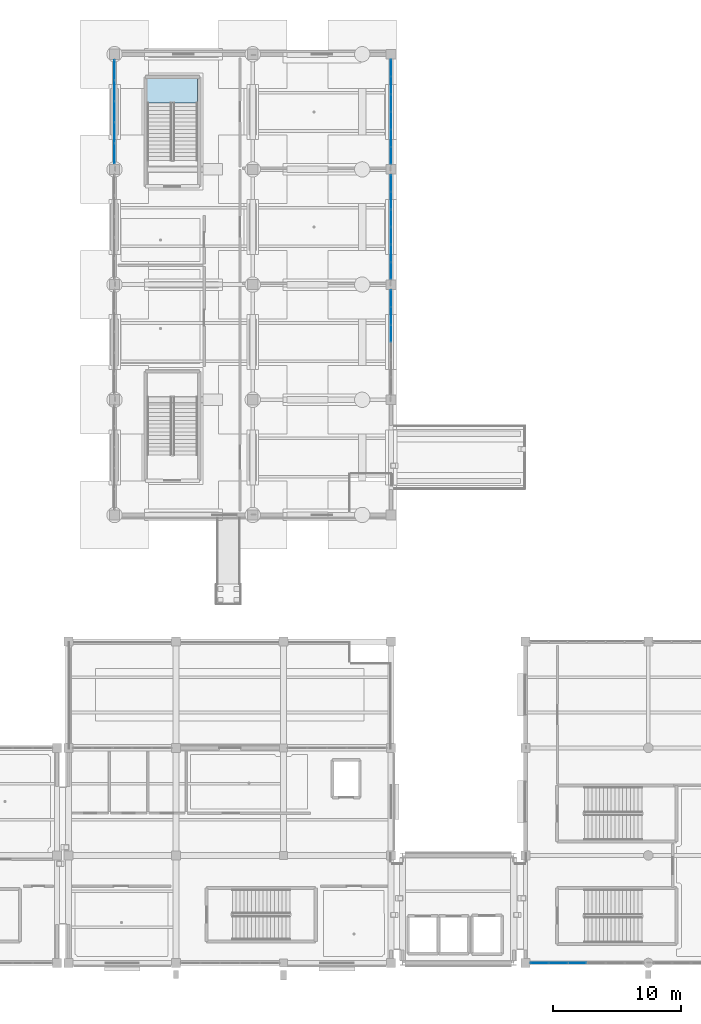
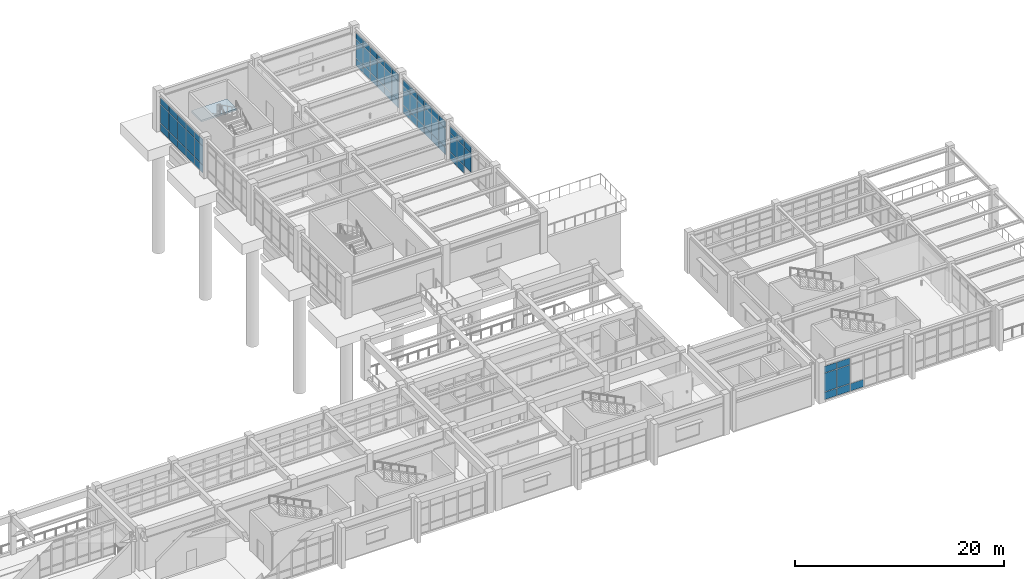
# One storey, part 72 of 98: 66 plates, 1 slab, 6 elements without a shape of their own.
"""IFC4 building model written with IfcOpenShell, lengths in metres."""

import ifcopenshell
import ifcopenshell.guid

model = None  # the IFC model being written
_history = None  # IfcOwnerHistory: only IFC2X3 demands one
_inside = {}  # id of a spatial element -> (the spatial element, [elements in it])
_under = {}  # id of a project, library or spatial element -> (it, [spatial elements below it])
_declared = {}  # id of a project -> (the project, [libraries it declares])
_typed = {}  # id of a type object -> (the type object, [elements of that type])
_made_of = {}  # id of a material, layer set ... -> (it, [elements and type objects made of it])


def new_model(schema):
    """Start an empty IFC model of exactly this schema.

    Asked for "IFC4X3", IfcOpenShell would pick the latest addendum, in which some entities
    have other attributes; the version numbers below select the first issue.
    IFC2X3 requires an IfcOwnerHistory on every rooted entity: one is made here for all.
    """
    global model, _history
    if schema == "IFC4X3":
        model = ifcopenshell.file(schema_version=(4, 3, 0, 0))
    else:
        model = ifcopenshell.file(schema=schema)
    _inside.clear()
    _under.clear()
    _declared.clear()
    _typed.clear()
    _made_of.clear()
    _history = None
    if model.schema == "IFC2X3":
        org = make("IfcOrganization", Name="unknown")
        user = make(
            "IfcPersonAndOrganization",
            ThePerson=make("IfcPerson", FamilyName="unknown"),
            TheOrganization=org,
        )
        app = make(
            "IfcApplication",
            ApplicationDeveloper=org,
            Version="unknown",
            ApplicationFullName="unknown",
            ApplicationIdentifier="unknown",
        )
        _history = make(
            "IfcOwnerHistory",
            OwningUser=user,
            OwningApplication=app,
            ChangeAction="ADDED",
            CreationDate=0,
        )
    return model


def make(cls, **values):
    """One entity of the class cls with the attributes given. An attribute that is None is left unset."""
    return model.create_entity(
        cls, **{name: value for name, value in values.items() if value is not None}
    )


def rooted(cls, **values):
    """An entity with a GlobalId (a new one), such as an element, a storey or a relation."""
    return make(cls, GlobalId=ifcopenshell.guid.new(), OwnerHistory=_history, **values)


def si_unit(unit_type, name, prefix=None):
    """IfcSIUnit, for example si_unit("LENGTHUNIT", "METRE", prefix="MILLI")."""
    return make("IfcSIUnit", UnitType=unit_type, Prefix=prefix, Name=name)


def assignment(units):
    """IfcUnitAssignment: the units of a project."""
    return None if units is None else make("IfcUnitAssignment", Units=units)


def point(xyz):
    """IfcCartesianPoint."""
    return None if xyz is None else make("IfcCartesianPoint", Coordinates=xyz)


def direction(xyz):
    """IfcDirection."""
    return None if xyz is None else make("IfcDirection", DirectionRatios=xyz)


def frame(location, z_axis=None, x_axis=None):
    """IfcAxis2Placement3D, a coordinate frame: its origin and axes. An axis left out is left unset."""
    return make(
        "IfcAxis2Placement3D",
        Location=point(location),
        Axis=direction(z_axis),
        RefDirection=direction(x_axis),
    )


def frame_2d(location, x_axis=None):
    """IfcAxis2Placement2D, a coordinate frame in the plane: its origin and x axis."""
    return make(
        "IfcAxis2Placement2D", Location=point(location), RefDirection=direction(x_axis)
    )


def origin():
    """The frame at (0, 0, 0) with its axes left unset."""
    return frame((0.0, 0.0, 0.0))


def origin_2d():
    """The frame at (0, 0) in the plane with its x axis left unset."""
    return frame_2d((0.0, 0.0))


def place(relative_to, where):
    """IfcLocalPlacement: puts the frame where relative to a parent placement (None: the world)."""
    return make(
        "IfcLocalPlacement", PlacementRelTo=relative_to, RelativePlacement=where
    )


def context(
    kind, dimensions, precision=None, world=None, true_north=None, identifier=None
):
    """IfcGeometricRepresentationContext, for example the 3D "Model" context."""
    return make(
        "IfcGeometricRepresentationContext",
        ContextIdentifier=identifier,
        ContextType=kind,
        CoordinateSpaceDimension=dimensions,
        Precision=precision,
        WorldCoordinateSystem=world,
        TrueNorth=true_north,
    )


def subcontext(parent, identifier, kind, view, scale=None):
    """IfcGeometricRepresentationSubContext, for example "Body" below "Model"."""
    return make(
        "IfcGeometricRepresentationSubContext",
        ContextIdentifier=identifier,
        ContextType=kind,
        ParentContext=parent,
        TargetScale=scale,
        TargetView=view,
    )


def project(units=None, contexts=None):
    """IfcProject with its units and contexts."""
    return rooted(
        "IfcProject",
        Name="project",
        RepresentationContexts=contexts,
        UnitsInContext=assignment(units),
    )


def spatial(cls, under=None, at=None, **own):
    """A site, building, storey or space (cls), placed at a placement, below another one or the project."""
    s = rooted(cls, ObjectPlacement=at, **own)
    if under is not None:
        _under.setdefault(under.id(), (under, []))[1].append(s)
    return s


def polyline(points):
    """IfcPolyline through the points."""
    return make("IfcPolyline", Points=[point(p) for p in points])


def profile(cls, at=None, kind="AREA", **sizes):
    """A parametric profile (cls). Its sizes go by their IFC names, for example OverallWidth=200.0."""
    return make(cls, ProfileType=kind, Position=at, **sizes)


def rectangle(**sizes):
    """IfcRectangleProfileDef."""
    return profile("IfcRectangleProfileDef", **sizes)


def outline(outer, holes=None, kind="AREA"):
    """IfcArbitraryClosedProfileDef: a profile drawn as a closed curve; with holes, ...WithVoids."""
    if holes is None:
        return make("IfcArbitraryClosedProfileDef", ProfileType=kind, OuterCurve=outer)
    return make(
        "IfcArbitraryProfileDefWithVoids",
        ProfileType=kind,
        OuterCurve=outer,
        InnerCurves=holes,
    )


def extrude(swept, where, along, depth):
    """IfcExtrudedAreaSolid: the profile swept, set in the frame where, extruded along a direction by depth."""
    return make(
        "IfcExtrudedAreaSolid",
        SweptArea=swept,
        Position=where,
        ExtrudedDirection=direction(along),
        Depth=depth,
    )


def shape(context_of_items, identifier, shape_type, items):
    """IfcShapeRepresentation: the items that make up one representation, for example the "Body"."""
    return make(
        "IfcShapeRepresentation",
        ContextOfItems=context_of_items,
        RepresentationIdentifier=identifier,
        RepresentationType=shape_type,
        Items=items,
    )


def material(Name=None, Category=None):
    """IfcMaterial."""
    return make("IfcMaterial", Name=Name, Category=Category)


def layer(
    of_material, thickness, ventilated=None, Name=None, Category=None, Priority=None
):
    """IfcMaterialLayer: one layer of a wall or slab, of a material (None: an air gap)."""
    return make(
        "IfcMaterialLayer",
        Material=of_material,
        LayerThickness=thickness,
        IsVentilated=ventilated,
        Name=Name,
        Category=Category,
        Priority=Priority,
    )


def layer_set(layers, Name=None):
    """IfcMaterialLayerSet."""
    return make("IfcMaterialLayerSet", MaterialLayers=layers, LayerSetName=Name)


def made_of(thing, what):
    """Note that an element or type object is made of a material, layer set ...; save() writes the relation."""
    if what is not None:
        _made_of.setdefault(what.id(), (what, []))[1].append(thing)
    return thing


def type_object(cls, material=None, **own):
    """A type object (cls), such as IfcWallType, which elements share."""
    return made_of(rooted(cls, **own), material)


def element(
    cls,
    number,
    at=None,
    inside=None,
    cuts=None,
    type_object=None,
    material=None,
    context=None,
    identifier="Body",
    shape_type=None,
    held_by="IfcProductDefinitionShape",
    body=None,
    shapes=None,
    **own,
):
    """One element of the class cls, such as IfcWall. Its Tag is "e" and its number.

    at: its placement. inside: the storey or other place that contains it. cuts: it is an
    opening in that element (IfcRelVoidsElement). A single representation is given by context,
    identifier, shape_type and body (its items); several are given by shapes. held_by: the class
    of the entity that holds the representations. save() writes the other relations.
    """
    e = rooted(cls, Tag="e%d" % number, ObjectPlacement=at, **own)
    if body is not None:
        shapes = [shape(context, identifier, shape_type, body)]
    if shapes is not None:
        e.Representation = make(held_by, Representations=shapes)
    if inside is not None:
        _inside.setdefault(inside.id(), (inside, []))[1].append(e)
    if cuts is not None:
        rooted(
            "IfcRelVoidsElement", RelatingBuildingElement=cuts, RelatedOpeningElement=e
        )
    if type_object is not None:
        _typed.setdefault(type_object.id(), (type_object, []))[1].append(e)
    return made_of(e, material)


def aggregate(whole, parts):
    """IfcRelAggregates: a whole, such as a stair, and the parts it consists of."""
    return rooted("IfcRelAggregates", RelatingObject=whole, RelatedObjects=parts)


def save(model, path):
    """Write the relations noted so far, then the file.

    IfcRelAggregates (storeys below a building ...), IfcRelContainedInSpatialStructure (elements
    in a storey), IfcRelDefinesByType, IfcRelAssociatesMaterial and IfcRelDeclares: one each for
    every whole, place, type object, material and project.
    """
    for whole, parts in _under.values():
        aggregate(whole, parts)
    for where, things in _inside.values():
        rooted(
            "IfcRelContainedInSpatialStructure",
            RelatedElements=things,
            RelatingStructure=where,
        )
    for kind, things in _typed.values():
        rooted("IfcRelDefinesByType", RelatedObjects=things, RelatingType=kind)
    for what, things in _made_of.values():
        rooted("IfcRelAssociatesMaterial", RelatedObjects=things, RelatingMaterial=what)
    for by, libraries in _declared.values():
        rooted("IfcRelDeclares", RelatingContext=by, RelatedDefinitions=libraries)
    model.write(path)


model = new_model("IFC4")

# Units and contexts
model_context = context("Model", 3, precision=1e-05, world=origin(), true_north=direction((0.0, 1.0)))
body_context = subcontext(model_context, "Body", "Model", "MODEL_VIEW")
ifc_project = project(units=[si_unit("LENGTHUNIT", "METRE"), si_unit("AREAUNIT", "SQUARE_METRE"), si_unit("VOLUMEUNIT", "CUBIC_METRE"), si_unit("PLANEANGLEUNIT", "RADIAN"), si_unit("MASSUNIT", "GRAM", prefix="KILO")], contexts=[model_context])

# Site, building, storey
site_placement = place(None, origin())
site = spatial("IfcSite", under=ifc_project, at=site_placement, CompositionType="ELEMENT")
building_placement = place(site_placement, origin())
building = spatial("IfcBuilding", under=site, at=building_placement, Name="Canglan Escarpment Cableway Terminal", CompositionType="ELEMENT")
storey_placement = place(building_placement, frame((0.0, 0.0, 9.60009765625)))
storey = spatial("IfcBuildingStorey", under=building, at=storey_placement, Name="L02", CompositionType="ELEMENT", Elevation=9.60009765625)

# Curtain wall, plates
ifc_material_1 = material(Name="Anodized bronze aluminium and Low-E double glazing", Category="aluminium")
curtain_wall_type_1 = type_object("IfcCurtainWallType", Name="CW-BAY-8250x4025", PredefinedType="NOTDEFINED", material=ifc_material_1)
curtain_wall_1_placement = place(storey_placement, origin())
curtain_wall_1 = element("IfcCurtainWall", 1, at=curtain_wall_1_placement, inside=storey, type_object=curtain_wall_type_1, Name="Classical bay-between-piers glazed curtain wall CW-43", PredefinedType="NOTDEFINED")
ifc_material_2 = material(Name="Double-silver Low-E laminated insulating glass", Category="glass")
ifc_layer_1 = layer(ifc_material_2, 0.02392578125, Name="Double-silver Low-E laminated insulating glass")
ifc_layer_set_1 = layer_set([ifc_layer_1], Name="Double-silver Low-E laminated insulating glass")
plate_type_1 = type_object("IfcPlateType", Name="CWP-01", PredefinedType="CURTAIN_PANEL", material=ifc_layer_set_1)
plate_1_placement = place(storey_placement, frame((136.699951171875, 71.077392578125, 0.05517578125), z_axis=(0.0, 0.0, 1.0), x_axis=(0.0, 1.0, 0.0)))
plate_1 = element("IfcPlate", 2, at=plate_1_placement, type_object=plate_type_1, Name="CW-43 panel 1.1", PredefinedType="CURTAIN_PANEL", context=body_context, shape_type="SweptSolid", body=[
    extrude(rectangle(XDim=1.284912109375, YDim=0.02392578125, at=origin_2d()), origin(), (0.0, 0.0, 1.0), 0.867431640625),
])
plate_2_placement = place(storey_placement, frame((136.699951171875, 71.077392578125, 0.977294921875), z_axis=(0.0, 0.0, 1.0), x_axis=(0.0, 1.0, 0.0)))
plate_2 = element("IfcPlate", 3, at=plate_2_placement, type_object=plate_type_1, Name="CW-43 panel 1.2", PredefinedType="CURTAIN_PANEL", context=body_context, shape_type="SweptSolid", body=[
    extrude(rectangle(XDim=1.284912109375, YDim=0.02392578125, at=origin_2d()), origin(), (0.0, 0.0, 1.0), 2.162109375),
])
plate_3_placement = place(storey_placement, frame((136.699951171875, 71.077392578125, 3.1943359375), z_axis=(0.0, 0.0, 1.0), x_axis=(0.0, 1.0, 0.0)))
plate_3 = element("IfcPlate", 4, at=plate_3_placement, type_object=plate_type_1, Name="CW-43 panel 1.3", PredefinedType="CURTAIN_PANEL", context=body_context, shape_type="SweptSolid", body=[
    extrude(rectangle(XDim=1.284912109375, YDim=0.02392578125, at=origin_2d()), origin(), (0.0, 0.0, 1.0), 0.767578125),
])
plate_4_placement = place(storey_placement, frame((136.699951171875, 72.4375, 0.05517578125), z_axis=(0.0, 0.0, 1.0), x_axis=(0.0, 1.0, 0.0)))
plate_4 = element("IfcPlate", 5, at=plate_4_placement, type_object=plate_type_1, Name="CW-43 panel 2.1", PredefinedType="CURTAIN_PANEL", context=body_context, shape_type="SweptSolid", body=[
    extrude(rectangle(XDim=1.31494140625, YDim=0.02392578125, at=origin_2d()), origin(), (0.0, 0.0, 1.0), 0.867431640625),
])
plate_5_placement = place(storey_placement, frame((136.699951171875, 72.4375, 0.977294921875), z_axis=(0.0, 0.0, 1.0), x_axis=(0.0, 1.0, 0.0)))
plate_5 = element("IfcPlate", 6, at=plate_5_placement, type_object=plate_type_1, Name="CW-43 panel 2.2", PredefinedType="CURTAIN_PANEL", context=body_context, shape_type="SweptSolid", body=[
    extrude(rectangle(XDim=1.31494140625, YDim=0.02392578125, at=origin_2d()), origin(), (0.0, 0.0, 1.0), 2.162109375),
])
plate_6_placement = place(storey_placement, frame((136.699951171875, 72.4375, 3.1943359375), z_axis=(0.0, 0.0, 1.0), x_axis=(0.0, 1.0, 0.0)))
plate_6 = element("IfcPlate", 7, at=plate_6_placement, type_object=plate_type_1, Name="CW-43 panel 2.3", PredefinedType="CURTAIN_PANEL", context=body_context, shape_type="SweptSolid", body=[
    extrude(rectangle(XDim=1.31494140625, YDim=0.02392578125, at=origin_2d()), origin(), (0.0, 0.0, 1.0), 0.767578125),
])
plate_7_placement = place(storey_placement, frame((136.699951171875, 73.8125, 0.05517578125), z_axis=(0.0, 0.0, 1.0), x_axis=(0.0, 1.0, 0.0)))
plate_7 = element("IfcPlate", 8, at=plate_7_placement, type_object=plate_type_1, Name="CW-43 panel 3.1", PredefinedType="CURTAIN_PANEL", context=body_context, shape_type="SweptSolid", body=[
    extrude(rectangle(XDim=1.31494140625, YDim=0.02392578125, at=origin_2d()), origin(), (0.0, 0.0, 1.0), 0.867431640625),
])
plate_8_placement = place(storey_placement, frame((136.699951171875, 73.8125, 0.977294921875), z_axis=(0.0, 0.0, 1.0), x_axis=(0.0, 1.0, 0.0)))
plate_8 = element("IfcPlate", 9, at=plate_8_placement, type_object=plate_type_1, Name="CW-43 panel 3.2", PredefinedType="CURTAIN_PANEL", context=body_context, shape_type="SweptSolid", body=[
    extrude(rectangle(XDim=1.31494140625, YDim=0.02392578125, at=origin_2d()), origin(), (0.0, 0.0, 1.0), 2.162109375),
])
plate_9_placement = place(storey_placement, frame((136.699951171875, 73.8125, 3.1943359375), z_axis=(0.0, 0.0, 1.0), x_axis=(0.0, 1.0, 0.0)))
plate_9 = element("IfcPlate", 10, at=plate_9_placement, type_object=plate_type_1, Name="CW-43 panel 3.3", PredefinedType="CURTAIN_PANEL", context=body_context, shape_type="SweptSolid", body=[
    extrude(rectangle(XDim=1.31494140625, YDim=0.02392578125, at=origin_2d()), origin(), (0.0, 0.0, 1.0), 0.767578125),
])
plate_10_placement = place(storey_placement, frame((136.699951171875, 75.1875, 0.05517578125), z_axis=(0.0, 0.0, 1.0), x_axis=(0.0, 1.0, 0.0)))
plate_10 = element("IfcPlate", 11, at=plate_10_placement, type_object=plate_type_1, Name="CW-43 panel 4.1", PredefinedType="CURTAIN_PANEL", context=body_context, shape_type="SweptSolid", body=[
    extrude(rectangle(XDim=1.31494140625, YDim=0.02392578125, at=origin_2d()), origin(), (0.0, 0.0, 1.0), 0.867431640625),
])
plate_11_placement = place(storey_placement, frame((136.699951171875, 75.1875, 0.977294921875), z_axis=(0.0, 0.0, 1.0), x_axis=(0.0, 1.0, 0.0)))
plate_11 = element("IfcPlate", 12, at=plate_11_placement, type_object=plate_type_1, Name="CW-43 panel 4.2", PredefinedType="CURTAIN_PANEL", context=body_context, shape_type="SweptSolid", body=[
    extrude(rectangle(XDim=1.31494140625, YDim=0.02392578125, at=origin_2d()), origin(), (0.0, 0.0, 1.0), 2.162109375),
])
plate_12_placement = place(storey_placement, frame((136.699951171875, 75.1875, 3.1943359375), z_axis=(0.0, 0.0, 1.0), x_axis=(0.0, 1.0, 0.0)))
plate_12 = element("IfcPlate", 13, at=plate_12_placement, type_object=plate_type_1, Name="CW-43 panel 4.3", PredefinedType="CURTAIN_PANEL", context=body_context, shape_type="SweptSolid", body=[
    extrude(rectangle(XDim=1.31494140625, YDim=0.02392578125, at=origin_2d()), origin(), (0.0, 0.0, 1.0), 0.767578125),
])
plate_13_placement = place(storey_placement, frame((136.699951171875, 76.5625, 0.05517578125), z_axis=(0.0, 0.0, 1.0), x_axis=(0.0, 1.0, 0.0)))
plate_13 = element("IfcPlate", 14, at=plate_13_placement, type_object=plate_type_1, Name="CW-43 panel 5.1", PredefinedType="CURTAIN_PANEL", context=body_context, shape_type="SweptSolid", body=[
    extrude(rectangle(XDim=1.31494140625, YDim=0.02392578125, at=origin_2d()), origin(), (0.0, 0.0, 1.0), 0.867431640625),
])
plate_14_placement = place(storey_placement, frame((136.699951171875, 76.5625, 0.977294921875), z_axis=(0.0, 0.0, 1.0), x_axis=(0.0, 1.0, 0.0)))
plate_14 = element("IfcPlate", 15, at=plate_14_placement, type_object=plate_type_1, Name="CW-43 panel 5.2", PredefinedType="CURTAIN_PANEL", context=body_context, shape_type="SweptSolid", body=[
    extrude(rectangle(XDim=1.31494140625, YDim=0.02392578125, at=origin_2d()), origin(), (0.0, 0.0, 1.0), 2.162109375),
])
plate_15_placement = place(storey_placement, frame((136.699951171875, 76.5625, 3.1943359375), z_axis=(0.0, 0.0, 1.0), x_axis=(0.0, 1.0, 0.0)))
plate_15 = element("IfcPlate", 16, at=plate_15_placement, type_object=plate_type_1, Name="CW-43 panel 5.3", PredefinedType="CURTAIN_PANEL", context=body_context, shape_type="SweptSolid", body=[
    extrude(rectangle(XDim=1.31494140625, YDim=0.02392578125, at=origin_2d()), origin(), (0.0, 0.0, 1.0), 0.767578125),
])
plate_16_placement = place(storey_placement, frame((136.699951171875, 77.922607421875, 0.05517578125), z_axis=(0.0, 0.0, 1.0), x_axis=(0.0, 1.0, 0.0)))
plate_16 = element("IfcPlate", 17, at=plate_16_placement, type_object=plate_type_1, Name="CW-43 panel 6.1", PredefinedType="CURTAIN_PANEL", context=body_context, shape_type="SweptSolid", body=[
    extrude(rectangle(XDim=1.284912109375, YDim=0.02392578125, at=origin_2d()), origin(), (0.0, 0.0, 1.0), 0.867431640625),
])
plate_17_placement = place(storey_placement, frame((136.699951171875, 77.922607421875, 0.977294921875), z_axis=(0.0, 0.0, 1.0), x_axis=(0.0, 1.0, 0.0)))
plate_17 = element("IfcPlate", 18, at=plate_17_placement, type_object=plate_type_1, Name="CW-43 panel 6.2", PredefinedType="CURTAIN_PANEL", context=body_context, shape_type="SweptSolid", body=[
    extrude(rectangle(XDim=1.284912109375, YDim=0.02392578125, at=origin_2d()), origin(), (0.0, 0.0, 1.0), 2.162109375),
])
plate_18_placement = place(storey_placement, frame((136.699951171875, 77.922607421875, 3.1943359375), z_axis=(0.0, 0.0, 1.0), x_axis=(0.0, 1.0, 0.0)))
plate_18 = element("IfcPlate", 19, at=plate_18_placement, type_object=plate_type_1, Name="CW-43 panel 6.3", PredefinedType="CURTAIN_PANEL", context=body_context, shape_type="SweptSolid", body=[
    extrude(rectangle(XDim=1.284912109375, YDim=0.02392578125, at=origin_2d()), origin(), (0.0, 0.0, 1.0), 0.767578125),
])
aggregate(curtain_wall_1, [plate_1, plate_2, plate_3, plate_4, plate_5, plate_6, plate_7, plate_8, plate_9, plate_10, plate_11, plate_12, plate_13, plate_14, plate_15, plate_16, plate_17, plate_18])

curtain_wall_type_2 = type_object("IfcCurtainWallType", Name="CW-BAY-8200x4025", PredefinedType="NOTDEFINED", material=ifc_material_1)
curtain_wall_2_placement = place(storey_placement, origin())
curtain_wall_2 = element("IfcCurtainWall", 20, at=curtain_wall_2_placement, inside=storey, type_object=curtain_wall_type_2, Name="Classical bay-between-piers glazed curtain wall CW-44", PredefinedType="NOTDEFINED")
plate_19_placement = place(storey_placement, frame((115.10009765625, 77.764892578125, 0.05517578125), z_axis=(0.0, 0.0, 1.0), x_axis=(0.0, -1.0, 0.0)))
plate_19 = element("IfcPlate", 21, at=plate_19_placement, type_object=plate_type_1, Name="CW-44 panel 1.1", PredefinedType="CURTAIN_PANEL", context=body_context, shape_type="SweptSolid", body=[
    extrude(rectangle(XDim=1.550048828125, YDim=0.02392578125, at=origin_2d()), origin(), (0.0, 0.0, 1.0), 0.867431640625),
])
plate_20_placement = place(storey_placement, frame((115.10009765625, 77.764892578125, 0.977294921875), z_axis=(0.0, 0.0, 1.0), x_axis=(0.0, -1.0, 0.0)))
plate_20 = element("IfcPlate", 22, at=plate_20_placement, type_object=plate_type_1, Name="CW-44 panel 1.2", PredefinedType="CURTAIN_PANEL", context=body_context, shape_type="SweptSolid", body=[
    extrude(rectangle(XDim=1.550048828125, YDim=0.02392578125, at=origin_2d()), origin(), (0.0, 0.0, 1.0), 2.162109375),
])
plate_21_placement = place(storey_placement, frame((115.10009765625, 77.764892578125, 3.1943359375), z_axis=(0.0, 0.0, 1.0), x_axis=(0.0, -1.0, 0.0)))
plate_21 = element("IfcPlate", 23, at=plate_21_placement, type_object=plate_type_1, Name="CW-44 panel 1.3", PredefinedType="CURTAIN_PANEL", context=body_context, shape_type="SweptSolid", body=[
    extrude(rectangle(XDim=1.550048828125, YDim=0.02392578125, at=origin_2d()), origin(), (0.0, 0.0, 1.0), 0.767578125),
])
plate_22_placement = place(storey_placement, frame((115.10009765625, 76.139892578125, 0.05517578125), z_axis=(0.0, 0.0, 1.0), x_axis=(0.0, -1.0, 0.0)))
plate_22 = element("IfcPlate", 24, at=plate_22_placement, type_object=plate_type_1, Name="CW-44 panel 2.1", PredefinedType="CURTAIN_PANEL", context=body_context, shape_type="SweptSolid", body=[
    extrude(rectangle(XDim=1.580078125, YDim=0.02392578125, at=origin_2d()), origin(), (0.0, 0.0, 1.0), 0.867431640625),
])
plate_23_placement = place(storey_placement, frame((115.10009765625, 76.139892578125, 0.977294921875), z_axis=(0.0, 0.0, 1.0), x_axis=(0.0, -1.0, 0.0)))
plate_23 = element("IfcPlate", 25, at=plate_23_placement, type_object=plate_type_1, Name="CW-44 panel 2.2", PredefinedType="CURTAIN_PANEL", context=body_context, shape_type="SweptSolid", body=[
    extrude(rectangle(XDim=1.580078125, YDim=0.02392578125, at=origin_2d()), origin(), (0.0, 0.0, 1.0), 2.162109375),
])
plate_24_placement = place(storey_placement, frame((115.10009765625, 76.139892578125, 3.1943359375), z_axis=(0.0, 0.0, 1.0), x_axis=(0.0, -1.0, 0.0)))
plate_24 = element("IfcPlate", 26, at=plate_24_placement, type_object=plate_type_1, Name="CW-44 panel 2.3", PredefinedType="CURTAIN_PANEL", context=body_context, shape_type="SweptSolid", body=[
    extrude(rectangle(XDim=1.580078125, YDim=0.02392578125, at=origin_2d()), origin(), (0.0, 0.0, 1.0), 0.767578125),
])
plate_25_placement = place(storey_placement, frame((115.10009765625, 74.5, 0.05517578125), z_axis=(0.0, 0.0, 1.0), x_axis=(0.0, -1.0, 0.0)))
plate_25 = element("IfcPlate", 27, at=plate_25_placement, type_object=plate_type_1, Name="CW-44 panel 3.1", PredefinedType="CURTAIN_PANEL", context=body_context, shape_type="SweptSolid", body=[
    extrude(rectangle(XDim=1.580078125, YDim=0.02392578125, at=origin_2d()), origin(), (0.0, 0.0, 1.0), 0.867431640625),
])
plate_26_placement = place(storey_placement, frame((115.10009765625, 74.5, 0.977294921875), z_axis=(0.0, 0.0, 1.0), x_axis=(0.0, -1.0, 0.0)))
plate_26 = element("IfcPlate", 28, at=plate_26_placement, type_object=plate_type_1, Name="CW-44 panel 3.2", PredefinedType="CURTAIN_PANEL", context=body_context, shape_type="SweptSolid", body=[
    extrude(rectangle(XDim=1.580078125, YDim=0.02392578125, at=origin_2d()), origin(), (0.0, 0.0, 1.0), 2.162109375),
])
plate_27_placement = place(storey_placement, frame((115.10009765625, 74.5, 3.1943359375), z_axis=(0.0, 0.0, 1.0), x_axis=(0.0, -1.0, 0.0)))
plate_27 = element("IfcPlate", 29, at=plate_27_placement, type_object=plate_type_1, Name="CW-44 panel 3.3", PredefinedType="CURTAIN_PANEL", context=body_context, shape_type="SweptSolid", body=[
    extrude(rectangle(XDim=1.580078125, YDim=0.02392578125, at=origin_2d()), origin(), (0.0, 0.0, 1.0), 0.767578125),
])
plate_28_placement = place(storey_placement, frame((115.10009765625, 72.860107421875, 0.05517578125), z_axis=(0.0, 0.0, 1.0), x_axis=(0.0, -1.0, 0.0)))
plate_28 = element("IfcPlate", 30, at=plate_28_placement, type_object=plate_type_1, Name="CW-44 panel 4.1", PredefinedType="CURTAIN_PANEL", context=body_context, shape_type="SweptSolid", body=[
    extrude(rectangle(XDim=1.580078125, YDim=0.02392578125, at=origin_2d()), origin(), (0.0, 0.0, 1.0), 0.867431640625),
])
plate_29_placement = place(storey_placement, frame((115.10009765625, 72.860107421875, 0.977294921875), z_axis=(0.0, 0.0, 1.0), x_axis=(0.0, -1.0, 0.0)))
plate_29 = element("IfcPlate", 31, at=plate_29_placement, type_object=plate_type_1, Name="CW-44 panel 4.2", PredefinedType="CURTAIN_PANEL", context=body_context, shape_type="SweptSolid", body=[
    extrude(rectangle(XDim=1.580078125, YDim=0.02392578125, at=origin_2d()), origin(), (0.0, 0.0, 1.0), 2.162109375),
])
plate_30_placement = place(storey_placement, frame((115.10009765625, 72.860107421875, 3.1943359375), z_axis=(0.0, 0.0, 1.0), x_axis=(0.0, -1.0, 0.0)))
plate_30 = element("IfcPlate", 32, at=plate_30_placement, type_object=plate_type_1, Name="CW-44 panel 4.3", PredefinedType="CURTAIN_PANEL", context=body_context, shape_type="SweptSolid", body=[
    extrude(rectangle(XDim=1.580078125, YDim=0.02392578125, at=origin_2d()), origin(), (0.0, 0.0, 1.0), 0.767578125),
])
plate_31_placement = place(storey_placement, frame((115.10009765625, 71.235107421875, 0.05517578125), z_axis=(0.0, 0.0, 1.0), x_axis=(0.0, -1.0, 0.0)))
plate_31 = element("IfcPlate", 33, at=plate_31_placement, type_object=plate_type_1, Name="CW-44 panel 5.1", PredefinedType="CURTAIN_PANEL", context=body_context, shape_type="SweptSolid", body=[
    extrude(rectangle(XDim=1.550048828125, YDim=0.02392578125, at=origin_2d()), origin(), (0.0, 0.0, 1.0), 0.867431640625),
])
plate_32_placement = place(storey_placement, frame((115.10009765625, 71.235107421875, 0.977294921875), z_axis=(0.0, 0.0, 1.0), x_axis=(0.0, -1.0, 0.0)))
plate_32 = element("IfcPlate", 34, at=plate_32_placement, type_object=plate_type_1, Name="CW-44 panel 5.2", PredefinedType="CURTAIN_PANEL", context=body_context, shape_type="SweptSolid", body=[
    extrude(rectangle(XDim=1.550048828125, YDim=0.02392578125, at=origin_2d()), origin(), (0.0, 0.0, 1.0), 2.162109375),
])
plate_33_placement = place(storey_placement, frame((115.10009765625, 71.235107421875, 3.1943359375), z_axis=(0.0, 0.0, 1.0), x_axis=(0.0, -1.0, 0.0)))
plate_33 = element("IfcPlate", 35, at=plate_33_placement, type_object=plate_type_1, Name="CW-44 panel 5.3", PredefinedType="CURTAIN_PANEL", context=body_context, shape_type="SweptSolid", body=[
    extrude(rectangle(XDim=1.550048828125, YDim=0.02392578125, at=origin_2d()), origin(), (0.0, 0.0, 1.0), 0.767578125),
])
aggregate(curtain_wall_2, [plate_19, plate_20, plate_21, plate_22, plate_23, plate_24, plate_25, plate_26, plate_27, plate_28, plate_29, plate_30, plate_31, plate_32, plate_33])

curtain_wall_3_placement = place(storey_placement, origin())
curtain_wall_3 = element("IfcCurtainWall", 36, at=curtain_wall_3_placement, inside=storey, type_object=curtain_wall_type_1, Name="Classical bay-between-piers glazed curtain wall CW-43", PredefinedType="NOTDEFINED")
ifc_layer_2 = layer(ifc_material_2, 0.031982421875, Name="Double-silver Low-E laminated insulating glass")
ifc_layer_set_2 = layer_set([ifc_layer_2], Name="Double-silver Low-E laminated insulating glass")
plate_type_2 = type_object("IfcPlateType", Name="CWP-03", PredefinedType="CURTAIN_PANEL", material=ifc_layer_set_2)
plate_34_placement = place(storey_placement, frame((136.699951171875, 57.1875, 0.97998046875), z_axis=(0.0, 0.0, 1.0), x_axis=(0.0, 1.0, 0.0)))
plate_34 = element("IfcPlate", 37, at=plate_34_placement, type_object=plate_type_2, Name="CW-43 panel 4.2", PredefinedType="CURTAIN_PANEL", context=body_context, shape_type="SweptSolid", body=[
    extrude(rectangle(XDim=1.31005859375, YDim=0.031982421875, at=origin_2d()), origin(), (0.0, 0.0, 1.0), 2.156982421875),
])
plate_35_placement = place(storey_placement, frame((136.699951171875, 57.1875, 3.19677734375), z_axis=(0.0, 0.0, 1.0), x_axis=(0.0, 1.0, 0.0)))
plate_35 = element("IfcPlate", 38, at=plate_35_placement, type_object=plate_type_2, Name="CW-43 panel 4.3", PredefinedType="CURTAIN_PANEL", context=body_context, shape_type="SweptSolid", body=[
    extrude(rectangle(XDim=1.31005859375, YDim=0.031982421875, at=origin_2d()), origin(), (0.0, 0.0, 1.0), 0.760009765625),
])
plate_36_placement = place(storey_placement, frame((136.699951171875, 58.5625, 0.06005859375), z_axis=(0.0, 0.0, 1.0), x_axis=(0.0, 1.0, 0.0)))
plate_36 = element("IfcPlate", 39, at=plate_36_placement, type_object=plate_type_2, Name="CW-43 panel 5.1", PredefinedType="CURTAIN_PANEL", context=body_context, shape_type="SweptSolid", body=[
    extrude(rectangle(XDim=1.31005859375, YDim=0.031982421875, at=origin_2d()), origin(), (0.0, 0.0, 1.0), 0.860107421875),
])
plate_37_placement = place(storey_placement, frame((136.699951171875, 58.5625, 0.97998046875), z_axis=(0.0, 0.0, 1.0), x_axis=(0.0, 1.0, 0.0)))
plate_37 = element("IfcPlate", 40, at=plate_37_placement, type_object=plate_type_2, Name="CW-43 panel 5.2", PredefinedType="CURTAIN_PANEL", context=body_context, shape_type="SweptSolid", body=[
    extrude(rectangle(XDim=1.31005859375, YDim=0.031982421875, at=origin_2d()), origin(), (0.0, 0.0, 1.0), 2.156982421875),
])
plate_38_placement = place(storey_placement, frame((136.699951171875, 58.5625, 3.19677734375), z_axis=(0.0, 0.0, 1.0), x_axis=(0.0, 1.0, 0.0)))
plate_38 = element("IfcPlate", 41, at=plate_38_placement, type_object=plate_type_2, Name="CW-43 panel 5.3", PredefinedType="CURTAIN_PANEL", context=body_context, shape_type="SweptSolid", body=[
    extrude(rectangle(XDim=1.31005859375, YDim=0.031982421875, at=origin_2d()), origin(), (0.0, 0.0, 1.0), 0.760009765625),
])
plate_39_placement = place(storey_placement, frame((136.699951171875, 59.921142578125, 0.06005859375), z_axis=(0.0, 0.0, 1.0), x_axis=(0.0, 1.0, 0.0)))
plate_39 = element("IfcPlate", 42, at=plate_39_placement, type_object=plate_type_2, Name="CW-43 panel 6.1", PredefinedType="CURTAIN_PANEL", context=body_context, shape_type="SweptSolid", body=[
    extrude(rectangle(XDim=1.277587890625, YDim=0.031982421875, at=origin_2d()), origin(), (0.0, 0.0, 1.0), 0.860107421875),
])
plate_40_placement = place(storey_placement, frame((136.699951171875, 59.921142578125, 0.97998046875), z_axis=(0.0, 0.0, 1.0), x_axis=(0.0, 1.0, 0.0)))
plate_40 = element("IfcPlate", 43, at=plate_40_placement, type_object=plate_type_2, Name="CW-43 panel 6.2", PredefinedType="CURTAIN_PANEL", context=body_context, shape_type="SweptSolid", body=[
    extrude(rectangle(XDim=1.277587890625, YDim=0.031982421875, at=origin_2d()), origin(), (0.0, 0.0, 1.0), 2.156982421875),
])
plate_41_placement = place(storey_placement, frame((136.699951171875, 59.921142578125, 3.19677734375), z_axis=(0.0, 0.0, 1.0), x_axis=(0.0, 1.0, 0.0)))
plate_41 = element("IfcPlate", 44, at=plate_41_placement, type_object=plate_type_2, Name="CW-43 panel 6.3", PredefinedType="CURTAIN_PANEL", context=body_context, shape_type="SweptSolid", body=[
    extrude(rectangle(XDim=1.277587890625, YDim=0.031982421875, at=origin_2d()), origin(), (0.0, 0.0, 1.0), 0.760009765625),
])
aggregate(curtain_wall_3, [plate_34, plate_35, plate_36, plate_37, plate_38, plate_39, plate_40, plate_41])

curtain_wall_type_3 = type_object("IfcCurtainWallType", Name="CW-BAY-8875x4025", PredefinedType="NOTDEFINED", material=ifc_material_1)
curtain_wall_4_placement = place(storey_placement, origin())
curtain_wall_4 = element("IfcCurtainWall", 45, at=curtain_wall_4_placement, inside=storey, type_object=curtain_wall_type_3, Name="Classical bay-between-piers glazed curtain wall CW-26", PredefinedType="NOTDEFINED")
ifc_layer_3 = layer(ifc_material_2, 0.035888671875, Name="Double-silver Low-E laminated insulating glass")
ifc_layer_set_3 = layer_set([ifc_layer_3], Name="Double-silver Low-E laminated insulating glass")
plate_type_3 = type_object("IfcPlateType", Name="CWP-04", PredefinedType="CURTAIN_PANEL", material=ifc_layer_set_3)
plate_42_placement = place(storey_placement, frame((148.305908203125, 8.0, 0.06005859375), z_axis=(0.0, 0.0, 1.0), x_axis=(1.0, 0.0, 0.0)))
plate_42 = element("IfcPlate", 46, at=plate_42_placement, type_object=plate_type_3, Name="CW-26 panel 1.1", PredefinedType="CURTAIN_PANEL", context=body_context, shape_type="SweptSolid", body=[
    extrude(rectangle(XDim=1.381591796875, YDim=0.035888671875, at=origin_2d()), origin(), (0.0, 0.0, 1.0), 0.860107421875),
])
plate_43_placement = place(storey_placement, frame((148.305908203125, 8.0, 0.97998046875), z_axis=(0.0, 0.0, 1.0), x_axis=(1.0, 0.0, 0.0)))
plate_43 = element("IfcPlate", 47, at=plate_43_placement, type_object=plate_type_3, Name="CW-26 panel 1.2", PredefinedType="CURTAIN_PANEL", context=body_context, shape_type="SweptSolid", body=[
    extrude(rectangle(XDim=1.381591796875, YDim=0.035888671875, at=origin_2d()), origin(), (0.0, 0.0, 1.0), 2.156982421875),
])
plate_44_placement = place(storey_placement, frame((148.305908203125, 8.0, 3.19677734375), z_axis=(0.0, 0.0, 1.0), x_axis=(1.0, 0.0, 0.0)))
plate_44 = element("IfcPlate", 48, at=plate_44_placement, type_object=plate_type_3, Name="CW-26 panel 1.3", PredefinedType="CURTAIN_PANEL", context=body_context, shape_type="SweptSolid", body=[
    extrude(rectangle(XDim=1.381591796875, YDim=0.035888671875, at=origin_2d()), origin(), (0.0, 0.0, 1.0), 0.760009765625),
])
plate_45_placement = place(storey_placement, frame((149.768798828125, 8.0, 0.06005859375), z_axis=(0.0, 0.0, 1.0), x_axis=(1.0, 0.0, 0.0)))
plate_45 = element("IfcPlate", 49, at=plate_45_placement, type_object=plate_type_3, Name="CW-26 panel 2.1", PredefinedType="CURTAIN_PANEL", context=body_context, shape_type="SweptSolid", body=[
    extrude(rectangle(XDim=1.4140625, YDim=0.035888671875, at=origin_2d()), origin(), (0.0, 0.0, 1.0), 0.860107421875),
])
plate_46_placement = place(storey_placement, frame((149.768798828125, 8.0, 0.97998046875), z_axis=(0.0, 0.0, 1.0), x_axis=(1.0, 0.0, 0.0)))
plate_46 = element("IfcPlate", 50, at=plate_46_placement, type_object=plate_type_3, Name="CW-26 panel 2.2", PredefinedType="CURTAIN_PANEL", context=body_context, shape_type="SweptSolid", body=[
    extrude(rectangle(XDim=1.4140625, YDim=0.035888671875, at=origin_2d()), origin(), (0.0, 0.0, 1.0), 2.156982421875),
])
plate_47_placement = place(storey_placement, frame((149.768798828125, 8.0, 3.19677734375), z_axis=(0.0, 0.0, 1.0), x_axis=(1.0, 0.0, 0.0)))
plate_47 = element("IfcPlate", 51, at=plate_47_placement, type_object=plate_type_3, Name="CW-26 panel 2.3", PredefinedType="CURTAIN_PANEL", context=body_context, shape_type="SweptSolid", body=[
    extrude(rectangle(XDim=1.4140625, YDim=0.035888671875, at=origin_2d()), origin(), (0.0, 0.0, 1.0), 0.760009765625),
])
plate_48_placement = place(storey_placement, frame((151.247802734375, 8.0, 0.06005859375), z_axis=(0.0, 0.0, 1.0), x_axis=(1.0, 0.0, 0.0)))
plate_48 = element("IfcPlate", 52, at=plate_48_placement, type_object=plate_type_3, Name="CW-26 panel 3.1", PredefinedType="CURTAIN_PANEL", context=body_context, shape_type="SweptSolid", body=[
    extrude(rectangle(XDim=1.4140625, YDim=0.035888671875, at=origin_2d()), origin(), (0.0, 0.0, 1.0), 0.860107421875),
])
aggregate(curtain_wall_4, [plate_42, plate_43, plate_44, plate_45, plate_46, plate_47, plate_48])

curtain_wall_5_placement = place(storey_placement, origin())
curtain_wall_5 = element("IfcCurtainWall", 53, at=curtain_wall_5_placement, inside=storey, type_object=curtain_wall_type_1, Name="Classical bay-between-piers glazed curtain wall CW-43", PredefinedType="NOTDEFINED")
plate_49_placement = place(storey_placement, frame((136.699951171875, 62.078857421875, 0.06494140625), z_axis=(0.0, 0.0, 1.0), x_axis=(0.0, 1.0, 0.0)))
plate_49 = element("IfcPlate", 54, at=plate_49_placement, type_object=plate_type_3, Name="CW-43 panel 1.1", PredefinedType="CURTAIN_PANEL", context=body_context, shape_type="SweptSolid", body=[
    extrude(rectangle(XDim=1.277587890625, YDim=0.035888671875, at=origin_2d()), origin(), (0.0, 0.0, 1.0), 0.8525390625),
])
plate_50_placement = place(storey_placement, frame((136.699951171875, 62.078857421875, 0.982421875), z_axis=(0.0, 0.0, 1.0), x_axis=(0.0, 1.0, 0.0)))
plate_50 = element("IfcPlate", 55, at=plate_50_placement, type_object=plate_type_3, Name="CW-43 panel 1.2", PredefinedType="CURTAIN_PANEL", context=body_context, shape_type="SweptSolid", body=[
    extrude(rectangle(XDim=1.277587890625, YDim=0.035888671875, at=origin_2d()), origin(), (0.0, 0.0, 1.0), 2.152099609375),
])
plate_51_placement = place(storey_placement, frame((136.699951171875, 62.078857421875, 3.199462890625), z_axis=(0.0, 0.0, 1.0), x_axis=(0.0, 1.0, 0.0)))
plate_51 = element("IfcPlate", 56, at=plate_51_placement, type_object=plate_type_3, Name="CW-43 panel 1.3", PredefinedType="CURTAIN_PANEL", context=body_context, shape_type="SweptSolid", body=[
    extrude(rectangle(XDim=1.277587890625, YDim=0.035888671875, at=origin_2d()), origin(), (0.0, 0.0, 1.0), 0.75244140625),
])
plate_52_placement = place(storey_placement, frame((136.699951171875, 63.4375, 0.06494140625), z_axis=(0.0, 0.0, 1.0), x_axis=(0.0, 1.0, 0.0)))
plate_52 = element("IfcPlate", 57, at=plate_52_placement, type_object=plate_type_3, Name="CW-43 panel 2.1", PredefinedType="CURTAIN_PANEL", context=body_context, shape_type="SweptSolid", body=[
    extrude(rectangle(XDim=1.31005859375, YDim=0.035888671875, at=origin_2d()), origin(), (0.0, 0.0, 1.0), 0.8525390625),
])
plate_53_placement = place(storey_placement, frame((136.699951171875, 63.4375, 0.982421875), z_axis=(0.0, 0.0, 1.0), x_axis=(0.0, 1.0, 0.0)))
plate_53 = element("IfcPlate", 58, at=plate_53_placement, type_object=plate_type_3, Name="CW-43 panel 2.2", PredefinedType="CURTAIN_PANEL", context=body_context, shape_type="SweptSolid", body=[
    extrude(rectangle(XDim=1.31005859375, YDim=0.035888671875, at=origin_2d()), origin(), (0.0, 0.0, 1.0), 2.152099609375),
])
plate_54_placement = place(storey_placement, frame((136.699951171875, 63.4375, 3.199462890625), z_axis=(0.0, 0.0, 1.0), x_axis=(0.0, 1.0, 0.0)))
plate_54 = element("IfcPlate", 59, at=plate_54_placement, type_object=plate_type_3, Name="CW-43 panel 2.3", PredefinedType="CURTAIN_PANEL", context=body_context, shape_type="SweptSolid", body=[
    extrude(rectangle(XDim=1.31005859375, YDim=0.035888671875, at=origin_2d()), origin(), (0.0, 0.0, 1.0), 0.75244140625),
])
plate_55_placement = place(storey_placement, frame((136.699951171875, 64.8125, 0.06494140625), z_axis=(0.0, 0.0, 1.0), x_axis=(0.0, 1.0, 0.0)))
plate_55 = element("IfcPlate", 60, at=plate_55_placement, type_object=plate_type_3, Name="CW-43 panel 3.1", PredefinedType="CURTAIN_PANEL", context=body_context, shape_type="SweptSolid", body=[
    extrude(rectangle(XDim=1.31005859375, YDim=0.035888671875, at=origin_2d()), origin(), (0.0, 0.0, 1.0), 0.8525390625),
])
plate_56_placement = place(storey_placement, frame((136.699951171875, 64.8125, 0.982421875), z_axis=(0.0, 0.0, 1.0), x_axis=(0.0, 1.0, 0.0)))
plate_56 = element("IfcPlate", 61, at=plate_56_placement, type_object=plate_type_3, Name="CW-43 panel 3.2", PredefinedType="CURTAIN_PANEL", context=body_context, shape_type="SweptSolid", body=[
    extrude(rectangle(XDim=1.31005859375, YDim=0.035888671875, at=origin_2d()), origin(), (0.0, 0.0, 1.0), 2.152099609375),
])
plate_57_placement = place(storey_placement, frame((136.699951171875, 64.8125, 3.199462890625), z_axis=(0.0, 0.0, 1.0), x_axis=(0.0, 1.0, 0.0)))
plate_57 = element("IfcPlate", 62, at=plate_57_placement, type_object=plate_type_3, Name="CW-43 panel 3.3", PredefinedType="CURTAIN_PANEL", context=body_context, shape_type="SweptSolid", body=[
    extrude(rectangle(XDim=1.31005859375, YDim=0.035888671875, at=origin_2d()), origin(), (0.0, 0.0, 1.0), 0.75244140625),
])
plate_58_placement = place(storey_placement, frame((136.699951171875, 66.1875, 0.06494140625), z_axis=(0.0, 0.0, 1.0), x_axis=(0.0, 1.0, 0.0)))
plate_58 = element("IfcPlate", 63, at=plate_58_placement, type_object=plate_type_3, Name="CW-43 panel 4.1", PredefinedType="CURTAIN_PANEL", context=body_context, shape_type="SweptSolid", body=[
    extrude(rectangle(XDim=1.31005859375, YDim=0.035888671875, at=origin_2d()), origin(), (0.0, 0.0, 1.0), 0.8525390625),
])
plate_59_placement = place(storey_placement, frame((136.699951171875, 66.1875, 0.982421875), z_axis=(0.0, 0.0, 1.0), x_axis=(0.0, 1.0, 0.0)))
plate_59 = element("IfcPlate", 64, at=plate_59_placement, type_object=plate_type_3, Name="CW-43 panel 4.2", PredefinedType="CURTAIN_PANEL", context=body_context, shape_type="SweptSolid", body=[
    extrude(rectangle(XDim=1.31005859375, YDim=0.035888671875, at=origin_2d()), origin(), (0.0, 0.0, 1.0), 2.152099609375),
])
plate_60_placement = place(storey_placement, frame((136.699951171875, 66.1875, 3.199462890625), z_axis=(0.0, 0.0, 1.0), x_axis=(0.0, 1.0, 0.0)))
plate_60 = element("IfcPlate", 65, at=plate_60_placement, type_object=plate_type_3, Name="CW-43 panel 4.3", PredefinedType="CURTAIN_PANEL", context=body_context, shape_type="SweptSolid", body=[
    extrude(rectangle(XDim=1.31005859375, YDim=0.035888671875, at=origin_2d()), origin(), (0.0, 0.0, 1.0), 0.75244140625),
])
plate_61_placement = place(storey_placement, frame((136.699951171875, 67.5625, 0.06494140625), z_axis=(0.0, 0.0, 1.0), x_axis=(0.0, 1.0, 0.0)))
plate_61 = element("IfcPlate", 66, at=plate_61_placement, type_object=plate_type_3, Name="CW-43 panel 5.1", PredefinedType="CURTAIN_PANEL", context=body_context, shape_type="SweptSolid", body=[
    extrude(rectangle(XDim=1.31005859375, YDim=0.035888671875, at=origin_2d()), origin(), (0.0, 0.0, 1.0), 0.8525390625),
])
plate_62_placement = place(storey_placement, frame((136.699951171875, 67.5625, 0.982421875), z_axis=(0.0, 0.0, 1.0), x_axis=(0.0, 1.0, 0.0)))
plate_62 = element("IfcPlate", 67, at=plate_62_placement, type_object=plate_type_3, Name="CW-43 panel 5.2", PredefinedType="CURTAIN_PANEL", context=body_context, shape_type="SweptSolid", body=[
    extrude(rectangle(XDim=1.31005859375, YDim=0.035888671875, at=origin_2d()), origin(), (0.0, 0.0, 1.0), 2.152099609375),
])
plate_63_placement = place(storey_placement, frame((136.699951171875, 67.5625, 3.199462890625), z_axis=(0.0, 0.0, 1.0), x_axis=(0.0, 1.0, 0.0)))
plate_63 = element("IfcPlate", 68, at=plate_63_placement, type_object=plate_type_3, Name="CW-43 panel 5.3", PredefinedType="CURTAIN_PANEL", context=body_context, shape_type="SweptSolid", body=[
    extrude(rectangle(XDim=1.31005859375, YDim=0.035888671875, at=origin_2d()), origin(), (0.0, 0.0, 1.0), 0.75244140625),
])
plate_64_placement = place(storey_placement, frame((136.699951171875, 68.921142578125, 0.06494140625), z_axis=(0.0, 0.0, 1.0), x_axis=(0.0, 1.0, 0.0)))
plate_64 = element("IfcPlate", 69, at=plate_64_placement, type_object=plate_type_3, Name="CW-43 panel 6.1", PredefinedType="CURTAIN_PANEL", context=body_context, shape_type="SweptSolid", body=[
    extrude(rectangle(XDim=1.277587890625, YDim=0.035888671875, at=origin_2d()), origin(), (0.0, 0.0, 1.0), 0.8525390625),
])
plate_65_placement = place(storey_placement, frame((136.699951171875, 68.921142578125, 0.982421875), z_axis=(0.0, 0.0, 1.0), x_axis=(0.0, 1.0, 0.0)))
plate_65 = element("IfcPlate", 70, at=plate_65_placement, type_object=plate_type_3, Name="CW-43 panel 6.2", PredefinedType="CURTAIN_PANEL", context=body_context, shape_type="SweptSolid", body=[
    extrude(rectangle(XDim=1.277587890625, YDim=0.035888671875, at=origin_2d()), origin(), (0.0, 0.0, 1.0), 2.152099609375),
])
plate_66_placement = place(storey_placement, frame((136.699951171875, 68.921142578125, 3.199462890625), z_axis=(0.0, 0.0, 1.0), x_axis=(0.0, 1.0, 0.0)))
plate_66 = element("IfcPlate", 71, at=plate_66_placement, type_object=plate_type_3, Name="CW-43 panel 6.3", PredefinedType="CURTAIN_PANEL", context=body_context, shape_type="SweptSolid", body=[
    extrude(rectangle(XDim=1.277587890625, YDim=0.035888671875, at=origin_2d()), origin(), (0.0, 0.0, 1.0), 0.75244140625),
])
aggregate(curtain_wall_5, [plate_49, plate_50, plate_51, plate_52, plate_53, plate_54, plate_55, plate_56, plate_57, plate_58, plate_59, plate_60, plate_61, plate_62, plate_63, plate_64, plate_65, plate_66])

# Stair, slab
ifc_material_3 = material(Name="Concrete C40", Category="concrete")
stair_type = type_object("IfcStairType", Name="STR-DOGLEG-1900", PredefinedType="HALF_TURN_STAIR", material=ifc_material_3)
stair_placement = place(storey_placement, origin())
stair = element("IfcStair", 72, at=stair_placement, inside=storey, type_object=stair_type, Name="L02 Protected Exit Stair ST-11", PredefinedType="HALF_TURN_STAIR")
ifc_layer_4 = layer(ifc_material_3, 0.199951171875, Name="Concrete C40")
ifc_layer_set_4 = layer_set([ifc_layer_4], Name="Concrete C40")
slab_type = type_object("IfcSlabType", Name="SLB-STAIR-LAND-200", PredefinedType="LANDING", material=ifc_layer_set_4)
slab_placement = place(storey_placement, frame((0.0, 0.0, 2.199951171875)))
slab = element("IfcSlab", 73, at=slab_placement, type_object=slab_type, Name="ST-11 landing 1", PredefinedType="LANDING", context=body_context, shape_type="SweptSolid", body=[
    extrude(outline(polyline([(121.60009765625, 75.199951171875), (121.60009765625, 77.10009765625), (117.64990234375, 77.10009765625), (117.64990234375, 75.199951171875), (121.60009765625, 75.199951171875)])), origin(), (0.0, 0.0, 1.0), 0.199951171875),
])
aggregate(stair, [slab])

save(model, "model.ifc")
